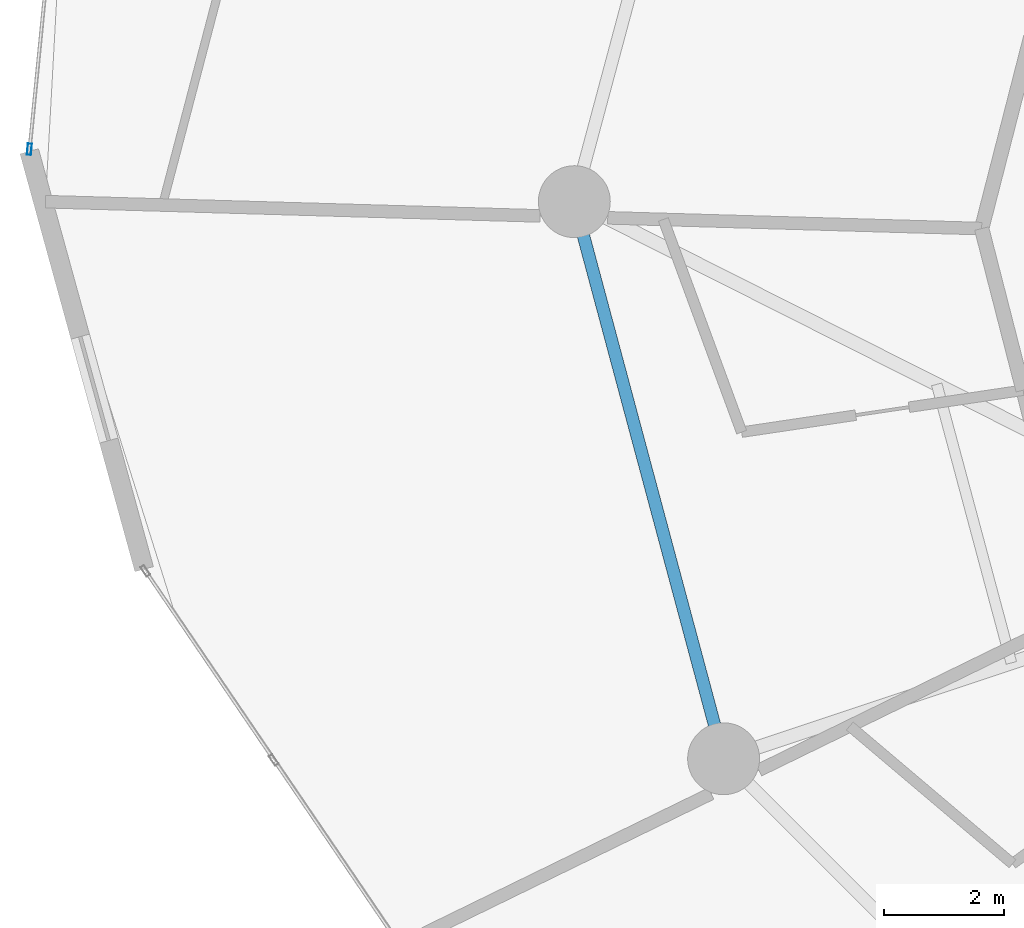
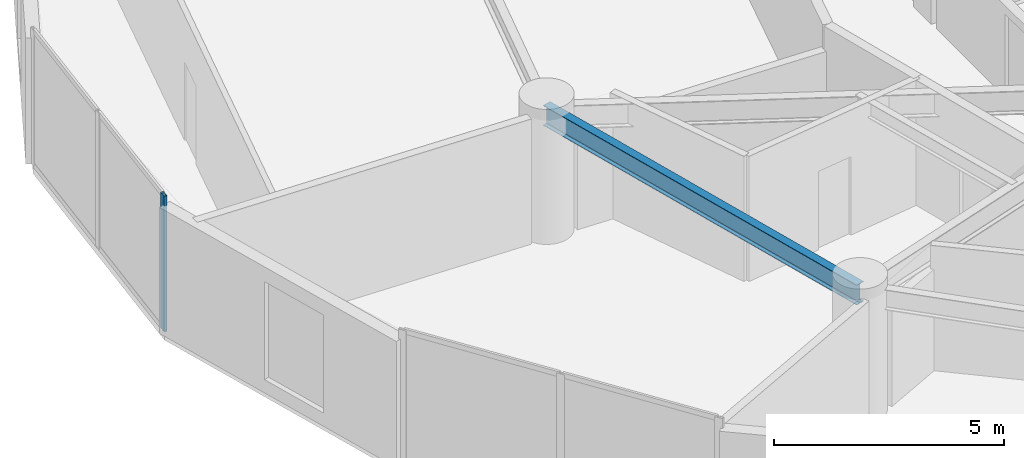
# One storey, part 5 of 26: 1 beam, 1 member, 1 element without a shape of its own.
"""IFC4 building model written with IfcOpenShell, lengths in metres."""

from ifc_helpers import new_model, si_unit, direction, frame, origin, origin_2d, place, context, subcontext, project, spatial, hollow_rectangle, i_section, extrude, source, transform, mapped, material, layer, layer_set, material_profile, profile_set, type_object, element, aggregate, save


model = new_model("IFC4")

# Units and contexts
model_context = context("Model", 3, precision=1e-05, world=origin(), true_north=direction((0.0, 1.0)))
body_context = subcontext(model_context, "Body", "Model", "MODEL_VIEW")
ifc_project = project(units=[si_unit("LENGTHUNIT", "METRE"), si_unit("AREAUNIT", "SQUARE_METRE"), si_unit("VOLUMEUNIT", "CUBIC_METRE"), si_unit("PLANEANGLEUNIT", "RADIAN"), si_unit("MASSUNIT", "GRAM", prefix="KILO")], contexts=[model_context])

# Site, building, storey
site_placement = place(None, origin())
site = spatial("IfcSite", under=ifc_project, at=site_placement, CompositionType="ELEMENT")
building_placement = place(site_placement, origin())
building = spatial("IfcBuilding", under=site, at=building_placement, Name="Solvirekh Grand Hotel", CompositionType="ELEMENT")
storey_placement = place(building_placement, frame((0.0, 0.0, 64.39990234375)))
storey = spatial("IfcBuildingStorey", under=building, at=storey_placement, Name="L15", CompositionType="ELEMENT", Elevation=64.39990234375)

# Beam
ifc_material_1 = material(Name="Steel S355", Category="steel")
ifc_material_profile_1 = material_profile(ifc_material_1, i_section(OverallWidth=0.208984375, OverallDepth=0.532958984375, WebThickness=0.010009765625, FlangeThickness=0.014892578125, FilletRadius=0.013916015625, at=origin_2d()), Name="W530X92")
ifc_profile_set_1 = profile_set([ifc_material_profile_1], Name="Steel S355")
beam_type = type_object("IfcBeamType", Name="Spandrel_Ring_W530", PredefinedType="SPANDREL", material=ifc_profile_set_1)
beam_placement = place(storey_placement, frame((-18.60009765625, 0.0, 3.07421875), z_axis=(0.258842973314, -0.965919414426, 0.0), x_axis=(0.965919414426, 0.258842973314, 0.0)))
element("IfcBeam", 1, at=beam_placement, inside=storey, type_object=beam_type, Name="L15 perimeter spandrel beam 7", PredefinedType="SPANDREL", context=body_context, shape_type="SweptSolid", body=[
    extrude(i_section(OverallWidth=0.208984375, OverallDepth=0.532958984375, WebThickness=0.010009765625, FlangeThickness=0.014892578125, FilletRadius=0.013916015625, at=origin_2d()), origin(), (0.0, 0.0, 1.0), 9.628173828125),
])

# Curtain wall, member
ifc_material_2 = material(Name="Anodized Bronze Aluminium 6063-T6", Category="aluminium")
ifc_layer = layer(ifc_material_2, 0.18994140625)
ifc_layer_set = layer_set([ifc_layer], Name="Anodized Bronze Aluminium 6063-T6")
curtain_wall_type = type_object("IfcCurtainWallType", Name="CW_Sys2_LowZoneFlushBronzeCW", PredefinedType="NOTDEFINED", material=ifc_layer_set)
curtain_wall_placement = place(storey_placement, origin())
curtain_wall = element("IfcCurtainWall", 2, at=curtain_wall_placement, inside=storey, type_object=curtain_wall_type, Name="L15 unitised bronze-glass curtain wall CW-L15-C11", PredefinedType="NOTDEFINED")
ifc_material_profile_2 = material_profile(ifc_material_2, hollow_rectangle(XDim=0.070068359375, YDim=0.18994140625, WallThickness=0.0048828125, at=origin_2d()), Name="ALU RHS 190X70X5")
ifc_profile_set_2 = profile_set([ifc_material_profile_2], Name="Anodized Bronze Aluminium 6063-T6")
member_type = type_object("IfcMemberType", Name="CWMullion_Sys2", PredefinedType="MULLION", material=ifc_profile_set_2)
shared_shape = source(origin(), body_context, "Body", "SweptSolid", [
    extrude(hollow_rectangle(XDim=0.070068359375, YDim=0.18994140625, WallThickness=0.0048828125, at=origin_2d()), origin(), (0.0, 0.0, 1.0), 3.60009765625),
])
member_placement = place(storey_placement, frame((-27.696533203125, 0.874755859375, 0.0), z_axis=(0.0, 0.0, 1.0), x_axis=(0.995153729271, -0.098331353685, 0.0)))
member = element("IfcMember", 3, at=member_placement, type_object=member_type, Name="U02 mullion 3", PredefinedType="MULLION", context=body_context, shape_type="MappedRepresentation", body=[
    mapped(shared_shape, transform((0.0, 0.0, 0.0), x_axis=(1.0, 0.0, 0.0), y_axis=(0.0, 1.0, 0.0), z_axis=(0.0, 0.0, 1.0), scale=1.0)),
])
aggregate(curtain_wall, [member])

save(model, "model.ifc")
